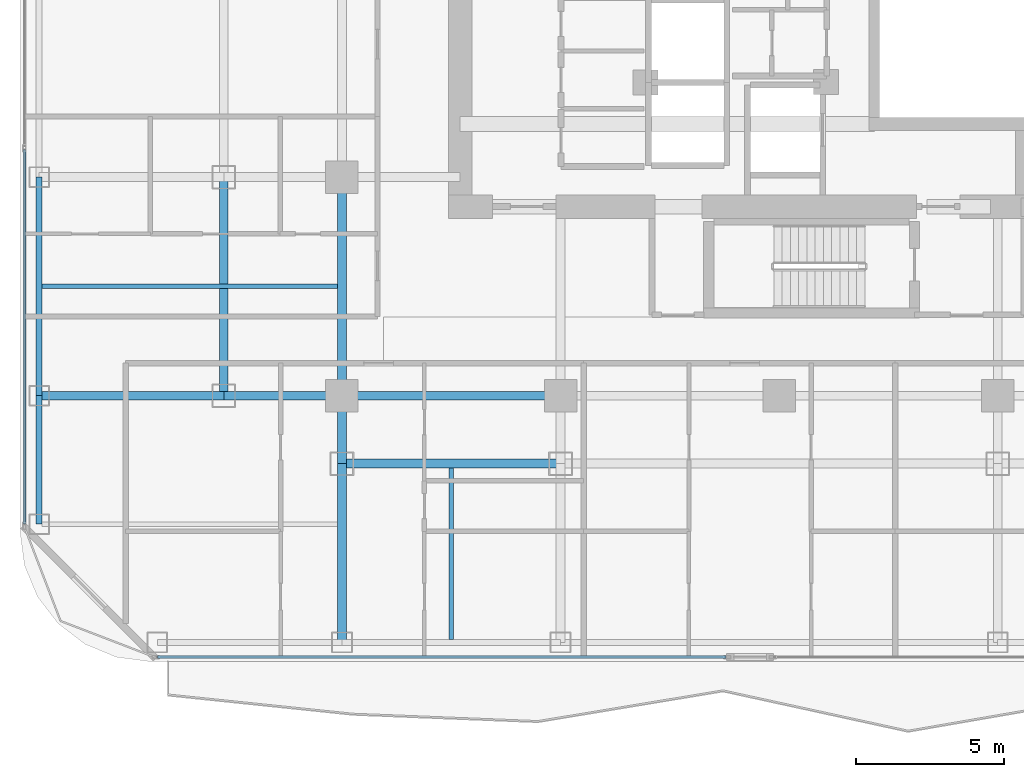
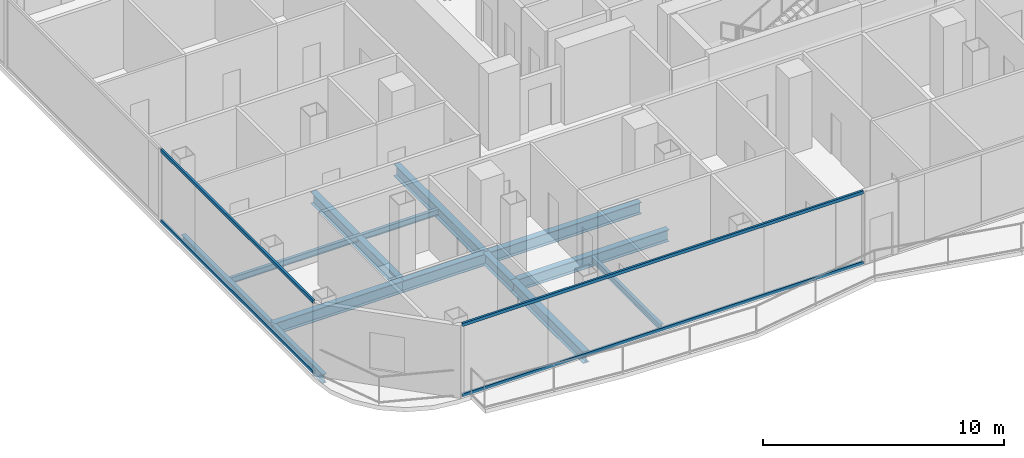
# One storey, part 3 of 27: 12 beams, 4 members, 2 elements without a shape of their own.
"""IFC4 building model written with IfcOpenShell, lengths in metres."""

from ifc_helpers import new_model, si_unit, direction, frame, origin, origin_2d, place, context, subcontext, project, spatial, hollow_rectangle, i_section, extrude, material, layer, layer_set, material_profile, profile_set, type_object, element, aggregate, save


model = new_model("IFC4")

# Units and contexts
model_context = context("Model", 3, precision=1e-05, world=origin(), true_north=direction((0.0, 1.0)))
body_context = subcontext(model_context, "Body", "Model", "MODEL_VIEW")
ifc_project = project(units=[si_unit("LENGTHUNIT", "METRE"), si_unit("AREAUNIT", "SQUARE_METRE"), si_unit("VOLUMEUNIT", "CUBIC_METRE"), si_unit("PLANEANGLEUNIT", "RADIAN"), si_unit("MASSUNIT", "GRAM", prefix="KILO")], contexts=[model_context])

# Site, building, storey
site_placement = place(None, origin())
site = spatial("IfcSite", under=ifc_project, at=site_placement, CompositionType="ELEMENT")
building_placement = place(site_placement, origin())
building = spatial("IfcBuilding", under=site, at=building_placement, Name="Khorvyn Point Tower", CompositionType="ELEMENT")
storey_placement = place(building_placement, frame((0.0, 0.0, 179.699951171875)))
storey = spatial("IfcBuildingStorey", under=building, at=storey_placement, Name="L44", CompositionType="ELEMENT", Elevation=179.699951171875)

# Curtain wall, members
ifc_material_1 = material(Name="Anodised aluminium 6063-T6 and laminated Low-E glass", Category="aluminium")
ifc_layer = layer(ifc_material_1, 0.18994140625)
ifc_layer_set = layer_set([ifc_layer], Name="Stick-Built Acoustic Curtain Wall CW-SYS-03")
curtain_wall_type = type_object("IfcCurtainWallType", Name="Stick-Built Acoustic Curtain Wall CW-SYS-03", PredefinedType="NOTDEFINED", material=ifc_layer_set)
curtain_wall_1_placement = place(storey_placement, origin())
curtain_wall_1 = element("IfcCurtainWall", 1, at=curtain_wall_1_placement, inside=storey, type_object=curtain_wall_type, Name="Curtain Wall", PredefinedType="NOTDEFINED")
ifc_material_2 = material(Name="Anodised aluminium 6063-T6", Category="aluminium")
ifc_material_profile_1 = material_profile(ifc_material_2, hollow_rectangle(XDim=0.10009765625, YDim=0.159912109375, WallThickness=0.00439453125, at=origin_2d()))
ifc_profile_set_1 = profile_set([ifc_material_profile_1], Name="Anodised aluminium 6063-T6 ALU-TRN-100x160")
member_type = type_object("IfcMemberType", Name="Anodised Aluminium 6063-T6 Transom ALU-TRN-100x160", PredefinedType="USERDEFINED", material=ifc_profile_set_1)
member_1_placement = place(storey_placement, frame((-1.805908203125, -23.64990234375, 0.050048828125), z_axis=(-1.0, 0.0, 0.0), x_axis=(0.0, -1.0, 0.0)))
member_1 = element("IfcMember", 2, at=member_1_placement, type_object=member_type, Name="Transom", ObjectType="TRANSOM", PredefinedType="USERDEFINED", context=body_context, shape_type="SweptSolid", body=[
    extrude(hollow_rectangle(XDim=0.10009765625, YDim=0.159912109375, WallThickness=0.00439453125, at=origin_2d()), origin(), (0.0, 0.0, 1.0), 19.244140625),
])
member_2_placement = place(storey_placement, frame((-1.805908203125, -23.64990234375, 3.630126953125), z_axis=(-1.0, 0.0, 0.0), x_axis=(0.0, -1.0, 0.0)))
member_2 = element("IfcMember", 3, at=member_2_placement, type_object=member_type, Name="Transom", ObjectType="TRANSOM", PredefinedType="USERDEFINED", context=body_context, shape_type="SweptSolid", body=[
    extrude(hollow_rectangle(XDim=0.10009765625, YDim=0.159912109375, WallThickness=0.00439453125, at=origin_2d()), origin(), (0.0, 0.0, 1.0), 19.244140625),
])
aggregate(curtain_wall_1, [member_1, member_2])

curtain_wall_2_placement = place(storey_placement, origin())
curtain_wall_2 = element("IfcCurtainWall", 4, at=curtain_wall_2_placement, inside=storey, type_object=curtain_wall_type, Name="Curtain Wall", PredefinedType="NOTDEFINED")
member_3_placement = place(storey_placement, frame((-25.550048828125, -19.14990234375, 0.050048828125), z_axis=(0.0, 1.0, 0.0), x_axis=(-1.0, 0.0, 0.0)))
member_3 = element("IfcMember", 5, at=member_3_placement, type_object=member_type, Name="Transom", ObjectType="TRANSOM", PredefinedType="USERDEFINED", context=body_context, shape_type="SweptSolid", body=[
    extrude(hollow_rectangle(XDim=0.10009765625, YDim=0.159912109375, WallThickness=0.00439453125, at=origin_2d()), origin(), (0.0, 0.0, 1.0), 12.683349609375),
])
member_4_placement = place(storey_placement, frame((-25.550048828125, -19.14990234375, 3.630126953125), z_axis=(0.0, 1.0, 0.0), x_axis=(-1.0, 0.0, 0.0)))
member_4 = element("IfcMember", 6, at=member_4_placement, type_object=member_type, Name="Transom", ObjectType="TRANSOM", PredefinedType="USERDEFINED", context=body_context, shape_type="SweptSolid", body=[
    extrude(hollow_rectangle(XDim=0.10009765625, YDim=0.159912109375, WallThickness=0.00439453125, at=origin_2d()), origin(), (0.0, 0.0, 1.0), 12.683349609375),
])
aggregate(curtain_wall_2, [member_3, member_4])

# Beams
ifc_material_3 = material(Name="Steel S355", Category="steel")
ifc_material_profile_2 = material_profile(ifc_material_3, i_section(OverallWidth=0.300048828125, OverallDepth=0.587890625, WebThickness=0.011962890625, FlangeThickness=0.02001953125, at=origin_2d()))
ifc_profile_set_2 = profile_set([ifc_material_profile_2], Name="Steel S355 H588x300x12x20")
beam_type_1 = type_object("IfcBeamType", Name="Steel S355 Beam H588x300x12x20", PredefinedType="BEAM", material=ifc_profile_set_2)
beam_1_placement = place(storey_placement, frame((-25.050048828125, -14.800048828125, -0.513916015625), z_axis=(1.0, 0.0, 0.0), x_axis=(0.0, 1.0, 0.0)))
element("IfcBeam", 7, at=beam_1_placement, inside=storey, type_object=beam_type_1, Name="Beam", PredefinedType="BEAM", context=body_context, shape_type="SweptSolid", body=[
    extrude(i_section(OverallWidth=0.300048828125, OverallDepth=0.587890625, WebThickness=0.011962890625, FlangeThickness=0.02001953125, at=origin_2d()), origin(), (0.0, 0.0, 1.0), 6.25),
])
beam_2_placement = place(storey_placement, frame((-18.800048828125, -14.800048828125, -0.513916015625), z_axis=(1.0, 0.0, 0.0), x_axis=(0.0, 1.0, 0.0)))
element("IfcBeam", 8, at=beam_2_placement, inside=storey, type_object=beam_type_1, Name="Beam", PredefinedType="BEAM", context=body_context, shape_type="SweptSolid", body=[
    extrude(i_section(OverallWidth=0.300048828125, OverallDepth=0.587890625, WebThickness=0.011962890625, FlangeThickness=0.02001953125, at=origin_2d()), origin(), (0.0, 0.0, 1.0), 4.0),
])
for number, where, z_axis, x_axis, name in (
    (9, (-14.800048828125, -14.800048828125, -0.513916015625), (1.0, 0.0, 0.0), (0.0, 1.0, 0.0), "Beam"),
    (10, (-14.800048828125, -17.10009765625, -0.513916015625), (1.0, 0.0, 0.0), (0.0, 1.0, 0.0), "Beam"),
):
    element("IfcBeam", number, at=place(storey_placement, frame(where, z_axis=z_axis, x_axis=x_axis)), inside=storey, type_object=beam_type_1, Name=name, PredefinedType="BEAM", context=body_context, shape_type="SweptSolid", body=[
        extrude(i_section(OverallWidth=0.300048828125, OverallDepth=0.587890625, WebThickness=0.011962890625, FlangeThickness=0.02001953125, at=origin_2d()), origin(), (0.0, 0.0, 1.0), 7.400146484375),
    ])
beam_3_placement = place(storey_placement, frame((-14.800048828125, -23.14990234375, -0.513916015625), z_axis=(0.0, 1.0, 0.0), x_axis=(-1.0, 0.0, 0.0)))
element("IfcBeam", 11, at=beam_3_placement, inside=storey, type_object=beam_type_1, Name="Beam", PredefinedType="BEAM", context=body_context, shape_type="SweptSolid", body=[
    extrude(i_section(OverallWidth=0.300048828125, OverallDepth=0.587890625, WebThickness=0.011962890625, FlangeThickness=0.02001953125, at=origin_2d()), origin(), (0.0, 0.0, 1.0), 6.0498046875),
])
beam_4_placement = place(storey_placement, frame((-14.800048828125, -17.10009765625, -0.513916015625), z_axis=(0.0, 1.0, 0.0), x_axis=(-1.0, 0.0, 0.0)))
element("IfcBeam", 12, at=beam_4_placement, inside=storey, type_object=beam_type_1, Name="Beam", PredefinedType="BEAM", context=body_context, shape_type="SweptSolid", body=[
    extrude(i_section(OverallWidth=0.300048828125, OverallDepth=0.587890625, WebThickness=0.011962890625, FlangeThickness=0.02001953125, at=origin_2d()), origin(), (0.0, 0.0, 1.0), 2.300048828125),
])
for number, where, z_axis, x_axis, name in (
    (13, (-14.800048828125, -14.800048828125, -0.513916015625), (0.0, 1.0, 0.0), (-1.0, 0.0, 0.0), "Beam"),
    (14, (-18.800048828125, -14.800048828125, -0.513916015625), (0.0, 1.0, 0.0), (-1.0, 0.0, 0.0), "Beam"),
):
    element("IfcBeam", number, at=place(storey_placement, frame(where, z_axis=z_axis, x_axis=x_axis)), inside=storey, type_object=beam_type_1, Name=name, PredefinedType="BEAM", context=body_context, shape_type="SweptSolid", body=[
        extrude(i_section(OverallWidth=0.300048828125, OverallDepth=0.587890625, WebThickness=0.011962890625, FlangeThickness=0.02001953125, at=origin_2d()), origin(), (0.0, 0.0, 1.0), 7.400146484375),
    ])
ifc_material_profile_3 = material_profile(ifc_material_3, i_section(OverallWidth=0.14990234375, OverallDepth=0.300048828125, WebThickness=0.006591796875, FlangeThickness=0.009033203125, at=origin_2d()))
ifc_profile_set_3 = profile_set([ifc_material_profile_3], Name="Steel S355 H300x150x6.5x9")
beam_type_2 = type_object("IfcBeamType", Name="Steel S355 Joist H300x150x6.5x9", PredefinedType="JOIST", material=ifc_profile_set_3)
beam_5_placement = place(storey_placement, frame((-24.949951171875, -11.10009765625, -0.369873046875), z_axis=(1.0, 0.0, 0.0), x_axis=(0.0, 1.0, 0.0)))
element("IfcBeam", 15, at=beam_5_placement, inside=storey, type_object=beam_type_2, Name="Beam", PredefinedType="JOIST", context=body_context, shape_type="SweptSolid", body=[
    extrude(i_section(OverallWidth=0.14990234375, OverallDepth=0.300048828125, WebThickness=0.006591796875, FlangeThickness=0.009033203125, at=origin_2d()), origin(), (0.0, 0.0, 1.0), 10.0),
])
beam_6_placement = place(storey_placement, frame((-11.10009765625, -23.050048828125, -0.369873046875), z_axis=(0.0, 1.0, 0.0), x_axis=(-1.0, 0.0, 0.0)))
element("IfcBeam", 16, at=beam_6_placement, inside=storey, type_object=beam_type_2, Name="Beam", PredefinedType="JOIST", context=body_context, shape_type="SweptSolid", body=[
    extrude(i_section(OverallWidth=0.14990234375, OverallDepth=0.300048828125, WebThickness=0.006591796875, FlangeThickness=0.009033203125, at=origin_2d()), origin(), (0.0, 0.0, 1.0), 5.800048828125),
])
ifc_material_profile_4 = material_profile(ifc_material_3, i_section(OverallWidth=0.199951171875, OverallDepth=0.449951171875, WebThickness=0.009033203125, FlangeThickness=0.013916015625, at=origin_2d()))
ifc_profile_set_4 = profile_set([ifc_material_profile_4], Name="Steel S355 H450x200x9x14")
beam_type_3 = type_object("IfcBeamType", Name="Steel S355 Spandrel H450x200x9x14", PredefinedType="SPANDREL", material=ifc_profile_set_4)
beam_7_placement = place(storey_placement, frame((-25.050048828125, -19.14990234375, -0.445068359375), z_axis=(0.0, 1.0, 0.0), x_axis=(-1.0, 0.0, 0.0)))
element("IfcBeam", 17, at=beam_7_placement, inside=storey, type_object=beam_type_3, Name="Beam", PredefinedType="SPANDREL", context=body_context, shape_type="SweptSolid", body=[
    extrude(i_section(OverallWidth=0.199951171875, OverallDepth=0.449951171875, WebThickness=0.009033203125, FlangeThickness=0.013916015625, at=origin_2d()), origin(), (0.0, 0.0, 1.0), 4.349853515625),
])
beam_8_placement = place(storey_placement, frame((-25.050048828125, -14.800048828125, -0.445068359375), z_axis=(0.0, 1.0, 0.0), x_axis=(-1.0, 0.0, 0.0)))
element("IfcBeam", 18, at=beam_8_placement, inside=storey, type_object=beam_type_3, Name="Beam", PredefinedType="SPANDREL", context=body_context, shape_type="SweptSolid", body=[
    extrude(i_section(OverallWidth=0.199951171875, OverallDepth=0.449951171875, WebThickness=0.009033203125, FlangeThickness=0.013916015625, at=origin_2d()), origin(), (0.0, 0.0, 1.0), 7.400146484375),
])

save(model, "model.ifc")
